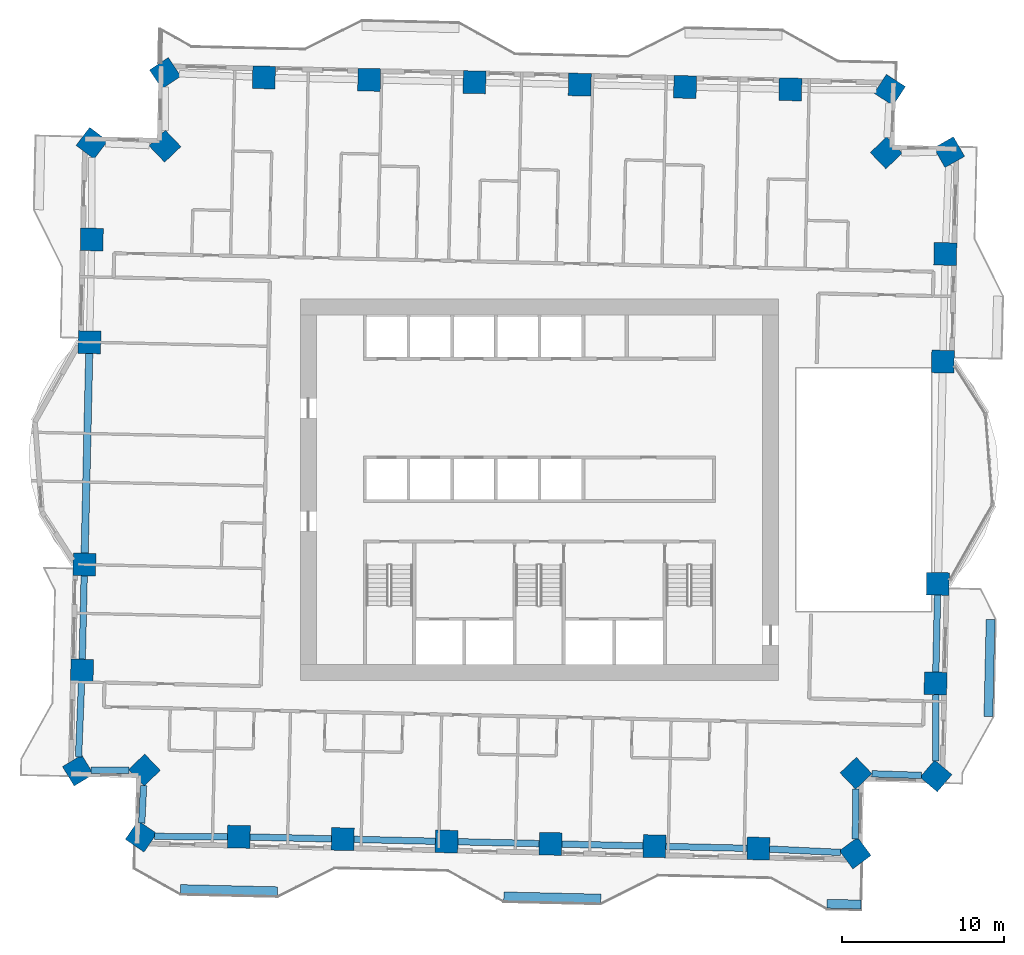
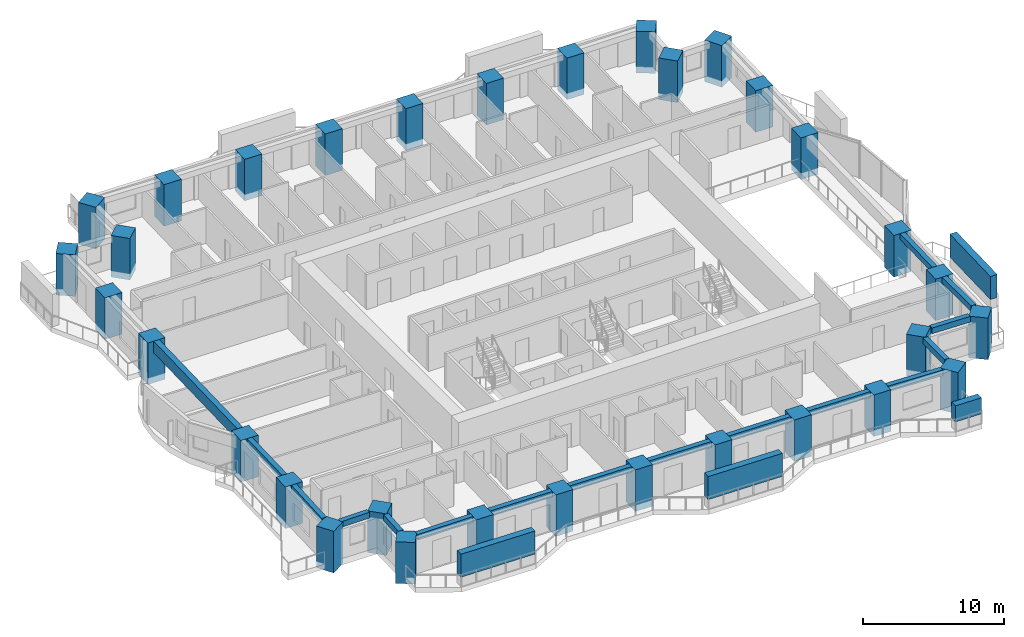
# One storey, part 1 of 16: 32 columns, 16 beams, 4 members.
"""IFC4 building model written with IfcOpenShell, lengths in metres."""

from ifc_helpers import new_model, si_unit, direction, frame, origin, origin_2d, place, context, subcontext, project, spatial, rectangle, extrude, material, material_profile, profile_set, type_object, element, save


model = new_model("IFC4")

# Units and contexts
model_context = context("Model", 3, precision=1e-05, world=origin(), true_north=direction((0.0, 1.0)))
body_context = subcontext(model_context, "Body", "Model", "MODEL_VIEW")
ifc_project = project(units=[si_unit("LENGTHUNIT", "METRE"), si_unit("AREAUNIT", "SQUARE_METRE"), si_unit("VOLUMEUNIT", "CUBIC_METRE"), si_unit("PLANEANGLEUNIT", "RADIAN"), si_unit("MASSUNIT", "GRAM", prefix="KILO")], contexts=[model_context])

# Site, building, storey
site_placement = place(None, origin())
site = spatial("IfcSite", under=ifc_project, at=site_placement, CompositionType="ELEMENT")
building_placement = place(site_placement, origin())
building = spatial("IfcBuilding", under=site, at=building_placement, Name="Mangrove Gate Tower", CompositionType="ELEMENT")
storey_placement = place(building_placement, frame((0.0, 0.0, 109.10009765625)))
storey = spatial("IfcBuildingStorey", under=building, at=storey_placement, Name="L27", CompositionType="ELEMENT", Elevation=109.10009765625)

# Columns
ifc_material_1 = material(Name="Concrete C70/85", Category="concrete")
ifc_material_profile_1 = material_profile(ifc_material_1, rectangle(XDim=1.39990234375, YDim=1.39990234375, at=origin_2d()))
ifc_profile_set_1 = profile_set([ifc_material_profile_1], Name="Concrete C70/85")
column_type = type_object("IfcColumnType", Name="Column RC 1400x1400 C70/85", PredefinedType="COLUMN", material=ifc_profile_set_1)
for number, where, z_axis, x_axis, name in (
    (1, (-28.153076171875, -4.625, -0.550048828125), (0.0, 0.0, 1.0), (-0.022695691547, -0.999742419619, 0.0), "Column L27 W05"),
    (2, (-28.30224609375, -11.184814453125, -0.550048828125), (0.0, 0.0, 1.0), (-0.022705829297, -0.999742189425, 0.0), "Column L27 W06"),
    (3, (-28.552978515625, -17.3662109375, -0.550048828125), (0.0, 0.0, 1.0), (0.51980850099, -0.85428281166, 0.0), "Column L27 W07"),
    (4, (-24.446044921875, -17.34130859375, -0.550048828125), (0.0, 0.0, 1.0), (0.69093208713, -0.722919671176, 0.0), "Column L27 W08"),
    (5, (-24.65087890625, -21.44677734375, -0.550048828125), (0.0, 0.0, 1.0), (0.824584810142, -0.565738359034, 0.0), "Column L27 S01"),
    (6, (-18.60302734375, -21.47021484375, -0.550048828125), (0.0, 0.0, 1.0), (0.999742156532, -0.022707277547, 0.0), "Column L27 S02"),
    (7, (-12.175048828125, -21.6162109375, -0.550048828125), (0.0, 0.0, 1.0), (0.999742156532, -0.022707277547, 0.0), "Column L27 S03"),
    (8, (-5.7470703125, -21.76220703125, -0.550048828125), (0.0, 0.0, 1.0), (0.999742156532, -0.022707277547, 0.0), "Column L27 S04"),
    (9, (0.680908203125, -21.908203125, -0.550048828125), (0.0, 0.0, 1.0), (0.999742156532, -0.022707277547, 0.0), "Column L27 S05"),
    (10, (7.10888671875, -22.05419921875, -0.550048828125), (0.0, 0.0, 1.0), (0.999743919101, -0.022629543109, 0.0), "Column L27 S06"),
    (11, (13.536865234375, -22.19921875, -0.550048828125), (0.0, 0.0, 1.0), (0.999743919101, -0.022629543109, 0.0), "Column L27 S07"),
    (12, (19.531982421875, -22.482666015625, -0.550048828125), (0.0, 0.0, 1.0), (0.803200357552, 0.595708977294, 0.0), "Column L27 S08"),
    (13, (19.579345703125, -17.541015625, -0.550048828125), (0.0, 0.0, 1.0), (0.722976563275, 0.690872556232, 0.0), "Column L27 E01"),
    (14, (24.527587890625, -17.706787109375, -0.550048828125), (0.0, 0.0, 1.0), (0.64744355459, 0.76211340601, 0.0), "Column L27 E02"),
    (15, (24.501220703125, -11.983154296875, -0.550048828125), (0.0, 0.0, 1.0), (0.022717711923, 0.99974191948, 0.0), "Column L27 E03"),
    (16, (24.64111328125, -5.822021484375, -0.550048828125), (0.0, 0.0, 1.0), (0.022698588047, 0.99974235386, 0.0), "Column L27 E04"),
    (17, (24.953125, 7.9248046875, -0.550048828125), (0.0, 0.0, 1.0), (0.022682447908, 0.999742720182, 0.0), "Column L27 E05"),
    (18, (25.104248046875, 14.5849609375, -0.550048828125), (0.0, 0.0, 1.0), (0.022665138693, 0.999743112748, 0.0), "Column L27 E06"),
    (19, (25.346923828125, 20.88330078125, -0.550048828125), (0.0, 0.0, 1.0), (-0.495140886792, 0.868812696861, 0.0), "Column L27 E07"),
    (20, (21.449951171875, 20.83740234375, -0.550048828125), (0.0, 0.0, 1.0), (-0.690837236726, 0.723010312757, 0.0), "Column L27 E08"),
    (21, (21.66748046875, 24.73193359375, -0.550048828125), (0.0, 0.0, 1.0), (-0.840169758103, 0.542323499001, 0.0), "Column L27 N01"),
    (22, (15.51708984375, 24.76708984375, -0.550048828125), (0.0, 0.0, 1.0), (-0.999743694319, 0.022639471488, 0.0), "Column L27 N02"),
    (23, (9.004150390625, 24.915283203125, -0.550048828125), (0.0, 0.0, 1.0), (-0.99974195437, 0.02271617643, 0.0), "Column L27 N03"),
    (24, (2.489990234375, 25.063232421875, -0.550048828125), (0.0, 0.0, 1.0), (-0.999741994016, 0.022714431551, 0.0), "Column L27 N04"),
    (25, (-4.02392578125, 25.211181640625, -0.550048828125), (0.0, 0.0, 1.0), (-0.999741994016, 0.022714431551, 0.0), "Column L27 N05"),
    (26, (-10.537841796875, 25.359130859375, -0.550048828125), (0.0, 0.0, 1.0), (-0.99974195437, 0.02271617643, 0.0), "Column L27 N06"),
    (27, (-17.05078125, 25.507080078125, -0.550048828125), (0.0, 0.0, 1.0), (-0.999743694319, 0.022639471488, 0.0), "Column L27 N07"),
    (28, (-23.158447265625, 25.773193359375, -0.550048828125), (0.0, 0.0, 1.0), (-0.829825550582, -0.558022898815, 0.0), "Column L27 N08"),
    (29, (-23.17041015625, 21.25, -0.550048828125), (0.0, 0.0, 1.0), (-0.722988982899, -0.690859559249, 0.0), "Column L27 W01"),
    (30, (-27.694091796875, 21.437255859375, -0.550048828125), (0.0, 0.0, 1.0), (-0.604088172923, -0.796917485901, 0.0), "Column L27 W02"),
    (31, (-27.697265625, 15.483154296875, -0.550048828125), (0.0, 0.0, 1.0), (-0.02271069751, -0.999742078848, 0.0), "Column L27 W03"),
    (32, (-27.841064453125, 9.1220703125, -0.550048828125), (0.0, 0.0, 1.0), (-0.022671716894, -0.999742963593, 0.0), "Column L27 W04"),
):
    element("IfcColumn", number, at=place(storey_placement, frame(where, z_axis=z_axis, x_axis=x_axis)), inside=storey, type_object=column_type, Name=name, PredefinedType="COLUMN", context=body_context, shape_type="SweptSolid", body=[
        extrude(rectangle(XDim=1.39990234375, YDim=1.39990234375, at=origin_2d()), origin(), (0.0, 0.0, 1.0), 3.599853515625),
    ])

# Members
ifc_material_2 = material(Name="Planting on aluminium trellis", Category="aluminium")
ifc_material_profile_2 = material_profile(ifc_material_2, rectangle(XDim=0.550048828125, YDim=1.39990234375, at=origin_2d()))
ifc_profile_set_2 = profile_set([ifc_material_profile_2], Name="Planting on aluminium trellis")
member_type_1 = type_object("IfcMemberType", Name="Balcony greenery screen 550x1400", PredefinedType="USERDEFINED", material=ifc_profile_set_2)
member_1_placement = place(storey_placement, frame((17.785888671875, -25.612060546875, 1.5), z_axis=(0.999741476082, -0.022737216212, 0.0), x_axis=(0.022737216212, 0.999741476082, 0.0)))
element("IfcMember", 33, at=member_1_placement, inside=storey, type_object=member_type_1, Name="GREEN SCREEN L27 S1.2", ObjectType="PLANTING", PredefinedType="USERDEFINED", context=body_context, shape_type="SweptSolid", body=[
    extrude(rectangle(XDim=0.550048828125, YDim=1.39990234375, at=origin_2d()), origin(), (0.0, 0.0, 1.0), 2.1044921875),
])
ifc_material_3 = material(Name="Planting on aluminium trellis", Category="aluminium")
ifc_material_profile_3 = material_profile(ifc_material_3, rectangle(XDim=0.550048828125, YDim=2.0, at=origin_2d()))
ifc_profile_set_3 = profile_set([ifc_material_profile_3], Name="Planting on aluminium trellis")
member_type_2 = type_object("IfcMemberType", Name="Balcony greenery screen 550x2000", PredefinedType="USERDEFINED", material=ifc_profile_set_3)
member_2_placement = place(storey_placement, frame((27.77099609375, -14.02099609375, 1.7998046875), z_axis=(0.022662255828, 0.999743178102, 0.0), x_axis=(-0.999743178102, 0.022662255828, 0.0)))
element("IfcMember", 34, at=member_2_placement, inside=storey, type_object=member_type_2, Name="GREEN SCREEN L27 E0.1", ObjectType="PLANTING", PredefinedType="USERDEFINED", context=body_context, shape_type="SweptSolid", body=[
    extrude(rectangle(XDim=0.550048828125, YDim=2.0, at=origin_2d()), origin(), (0.0, 0.0, 1.0), 6.00048828125),
])
member_3_placement = place(storey_placement, frame((-22.202880859375, -24.7041015625, 1.7998046875), z_axis=(0.999743073592, -0.022666865795, 0.0), x_axis=(0.022666865795, 0.999743073592, 0.0)))
element("IfcMember", 35, at=member_3_placement, inside=storey, type_object=member_type_2, Name="GREEN SCREEN L27 S0.1", ObjectType="PLANTING", PredefinedType="USERDEFINED", context=body_context, shape_type="SweptSolid", body=[
    extrude(rectangle(XDim=0.550048828125, YDim=2.0, at=origin_2d()), origin(), (0.0, 0.0, 1.0), 5.999267578125),
])
member_4_placement = place(storey_placement, frame((-2.208984375, -25.157958984375, 1.7998046875), z_axis=(0.999743178102, -0.022662255828, 0.0), x_axis=(0.022662255828, 0.999743178102, 0.0)))
element("IfcMember", 36, at=member_4_placement, inside=storey, type_object=member_type_2, Name="GREEN SCREEN L27 S1.1", ObjectType="PLANTING", PredefinedType="USERDEFINED", context=body_context, shape_type="SweptSolid", body=[
    extrude(rectangle(XDim=0.550048828125, YDim=2.0, at=origin_2d()), origin(), (0.0, 0.0, 1.0), 6.00048828125),
])

# Beams
ifc_material_4 = material(Name="Concrete C50/60", Category="concrete")
ifc_material_profile_4 = material_profile(ifc_material_4, rectangle(XDim=0.39990234375, YDim=0.5, at=origin_2d()))
ifc_profile_set_4 = profile_set([ifc_material_profile_4], Name="Concrete C50/60")
beam_type_1 = type_object("IfcBeamType", Name="Edge beam RC 400x500 C50/60", PredefinedType="BEAM", material=ifc_profile_set_4)
beam_1_placement = place(storey_placement, frame((-28.169189453125, -5.32470703125, 2.7998046875), z_axis=(-0.022703140476, -0.999742250489, 0.0), x_axis=(0.999742250489, -0.022703140476, 0.0)))
element("IfcBeam", 37, at=beam_1_placement, inside=storey, type_object=beam_type_1, Name="Edge beam L27 00", PredefinedType="BEAM", context=body_context, shape_type="SweptSolid", body=[
    extrude(rectangle(XDim=0.39990234375, YDim=0.5, at=origin_2d()), origin(), (0.0, 0.0, 1.0), 5.16162109375),
])
beam_2_placement = place(storey_placement, frame((-28.33056640625, -11.884521484375, 2.7998046875), z_axis=(-0.040522157251, -0.99917864007, 0.0), x_axis=(0.99917864007, -0.040522157251, 0.0)))
element("IfcBeam", 38, at=beam_2_placement, inside=storey, type_object=beam_type_1, Name="Edge beam L27 01", PredefinedType="BEAM", context=body_context, shape_type="SweptSolid", body=[
    extrude(rectangle(XDim=0.39990234375, YDim=0.5, at=origin_2d()), origin(), (0.0, 0.0, 1.0), 4.645263671875),
])
beam_3_placement = place(storey_placement, frame((-27.736572265625, -17.361328125, 2.7998046875), z_axis=(0.999981499965, 0.006082740115, 0.0), x_axis=(-0.006082740115, 0.999981499965, 0.0)))
element("IfcBeam", 39, at=beam_3_placement, inside=storey, type_object=beam_type_1, Name="Edge beam L27 02", PredefinedType="BEAM", context=body_context, shape_type="SweptSolid", body=[
    extrude(rectangle(XDim=0.39990234375, YDim=0.5, at=origin_2d()), origin(), (0.0, 0.0, 1.0), 2.327880859375),
])
beam_4_placement = place(storey_placement, frame((-24.494140625, -18.30419921875, 2.7998046875), z_axis=(-0.049885237049, -0.998754956496, 0.0), x_axis=(0.998754956496, -0.049885237049, 0.0)))
element("IfcBeam", 40, at=beam_4_placement, inside=storey, type_object=beam_type_1, Name="Edge beam L27 03", PredefinedType="BEAM", context=body_context, shape_type="SweptSolid", body=[
    extrude(rectangle(XDim=0.39990234375, YDim=0.5, at=origin_2d()), origin(), (0.0, 0.0, 1.0), 2.32470703125),
])
beam_5_placement = place(storey_placement, frame((-23.80419921875, -21.449951171875, 2.7998046875), z_axis=(0.999992374003, -0.003905372691, 0.0), x_axis=(0.003905372691, 0.999992374003, 0.0)))
element("IfcBeam", 41, at=beam_5_placement, inside=storey, type_object=beam_type_1, Name="Edge beam L27 04", PredefinedType="BEAM", context=body_context, shape_type="SweptSolid", body=[
    extrude(rectangle(XDim=0.39990234375, YDim=0.5, at=origin_2d()), origin(), (0.0, 0.0, 1.0), 4.5009765625),
])
for number, where, z_axis, x_axis, name in (
    (42, (-17.9033203125, -21.486083984375, 2.7998046875), (0.999741935774, -0.022716994851, 0.0), (0.022716994851, 0.999741935774, 0.0), "Edge beam L27 05"),
    (43, (-11.475341796875, -21.632080078125, 2.7998046875), (0.999741935774, -0.022716994851, 0.0), (0.022716994851, 0.999741935774, 0.0), "Edge beam L27 06"),
    (44, (-5.04736328125, -21.778076171875, 2.7998046875), (0.999741935774, -0.022716994851, 0.0), (0.022716994851, 0.999741935774, 0.0), "Edge beam L27 07"),
    (45, (1.380615234375, -21.924072265625, 2.7998046875), (0.999741935774, -0.022716994851, 0.0), (0.022716994851, 0.999741935774, 0.0), "Edge beam L27 08"),
    (46, (7.80859375, -22.070068359375, 2.7998046875), (0.999746326605, -0.022522931421, 0.0), (0.022522931421, 0.999746326605, 0.0), "Edge beam L27 09"),
):
    element("IfcBeam", number, at=place(storey_placement, frame(where, z_axis=z_axis, x_axis=x_axis)), inside=storey, type_object=beam_type_1, Name=name, PredefinedType="BEAM", context=body_context, shape_type="SweptSolid", body=[
        extrude(rectangle(XDim=0.39990234375, YDim=0.5, at=origin_2d()), origin(), (0.0, 0.0, 1.0), 5.029541015625),
    ])
beam_6_placement = place(storey_placement, frame((14.236328125, -22.232177734375, 2.7998046875), z_axis=(0.998883285152, -0.047245980195, 0.0), x_axis=(0.047245980195, 0.998883285152, 0.0)))
element("IfcBeam", 47, at=beam_6_placement, inside=storey, type_object=beam_type_1, Name="Edge beam L27 10", PredefinedType="BEAM", context=body_context, shape_type="SweptSolid", body=[
    extrude(rectangle(XDim=0.39990234375, YDim=0.5, at=origin_2d()), origin(), (0.0, 0.0, 1.0), 4.3974609375),
])
beam_7_placement = place(storey_placement, frame((19.54052734375, -21.60498046875, 2.7998046875), z_axis=(0.009569318236, 0.999954213026, 0.0), x_axis=(-0.999954213026, 0.009569318236, 0.0)))
element("IfcBeam", 48, at=beam_7_placement, inside=storey, type_object=beam_type_1, Name="Edge beam L27 11", PredefinedType="BEAM", context=body_context, shape_type="SweptSolid", body=[
    extrude(rectangle(XDim=0.39990234375, YDim=0.5, at=origin_2d()), origin(), (0.0, 0.0, 1.0), 3.087158203125),
])
beam_8_placement = place(storey_placement, frame((20.558349609375, -17.57373046875, 2.7998046875), z_axis=(0.999439612245, -0.03347329495, 0.0), x_axis=(0.03347329495, 0.999439612245, 0.0)))
element("IfcBeam", 49, at=beam_8_placement, inside=storey, type_object=beam_type_1, Name="Edge beam L27 12", PredefinedType="BEAM", context=body_context, shape_type="SweptSolid", body=[
    extrude(rectangle(XDim=0.39990234375, YDim=0.5, at=origin_2d()), origin(), (0.0, 0.0, 1.0), 3.077880859375),
])
beam_9_placement = place(storey_placement, frame((24.523193359375, -16.78466796875, 2.7998046875), z_axis=(-0.004583558018, 0.999989495443, 0.0), x_axis=(-0.999989495443, -0.004583558018, 0.0)))
element("IfcBeam", 50, at=beam_9_placement, inside=storey, type_object=beam_type_1, Name="Edge beam L27 13", PredefinedType="BEAM", context=body_context, shape_type="SweptSolid", body=[
    extrude(rectangle(XDim=0.39990234375, YDim=0.5, at=origin_2d()), origin(), (0.0, 0.0, 1.0), 4.101318359375),
])
beam_10_placement = place(storey_placement, frame((24.51708984375, -11.283203125, 2.7998046875), z_axis=(0.022709760556, 0.999742100132, 0.0), x_axis=(-0.999742100132, 0.022709760556, 0.0)))
element("IfcBeam", 51, at=beam_10_placement, inside=storey, type_object=beam_type_1, Name="Edge beam L27 14", PredefinedType="BEAM", context=body_context, shape_type="SweptSolid", body=[
    extrude(rectangle(XDim=0.39990234375, YDim=0.5, at=origin_2d()), origin(), (0.0, 0.0, 1.0), 4.762451171875),
])
ifc_material_5 = material(Name="Concrete C50/60", Category="concrete")
ifc_material_profile_5 = material_profile(ifc_material_5, rectangle(XDim=0.449951171875, YDim=1.0, at=origin_2d()))
ifc_profile_set_5 = profile_set([ifc_material_profile_5], Name="Concrete C50/60")
beam_type_2 = type_object("IfcBeamType", Name="Edge beam RC 450x1000 C50/60", PredefinedType="BEAM", material=ifc_profile_set_5)
beam_11_placement = place(storey_placement, frame((-27.857177734375, 8.42236328125, 2.5498046875), z_axis=(-0.022673359101, -0.99974292635, 0.0), x_axis=(0.99974292635, -0.022673359101, 0.0)))
element("IfcBeam", 52, at=beam_11_placement, inside=storey, type_object=beam_type_2, Name="Edge beam L27 31", PredefinedType="BEAM", context=body_context, shape_type="SweptSolid", body=[
    extrude(rectangle(XDim=0.449951171875, YDim=1.0, at=origin_2d()), origin(), (0.0, 0.0, 1.0), 12.3505859375),
])

save(model, "model.ifc")
